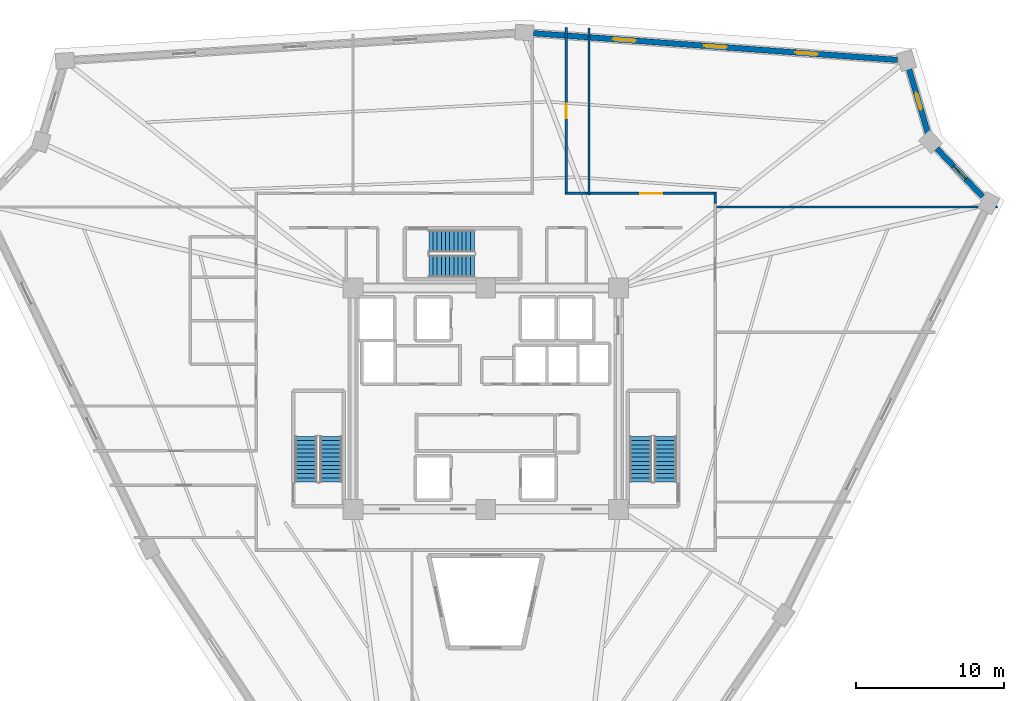
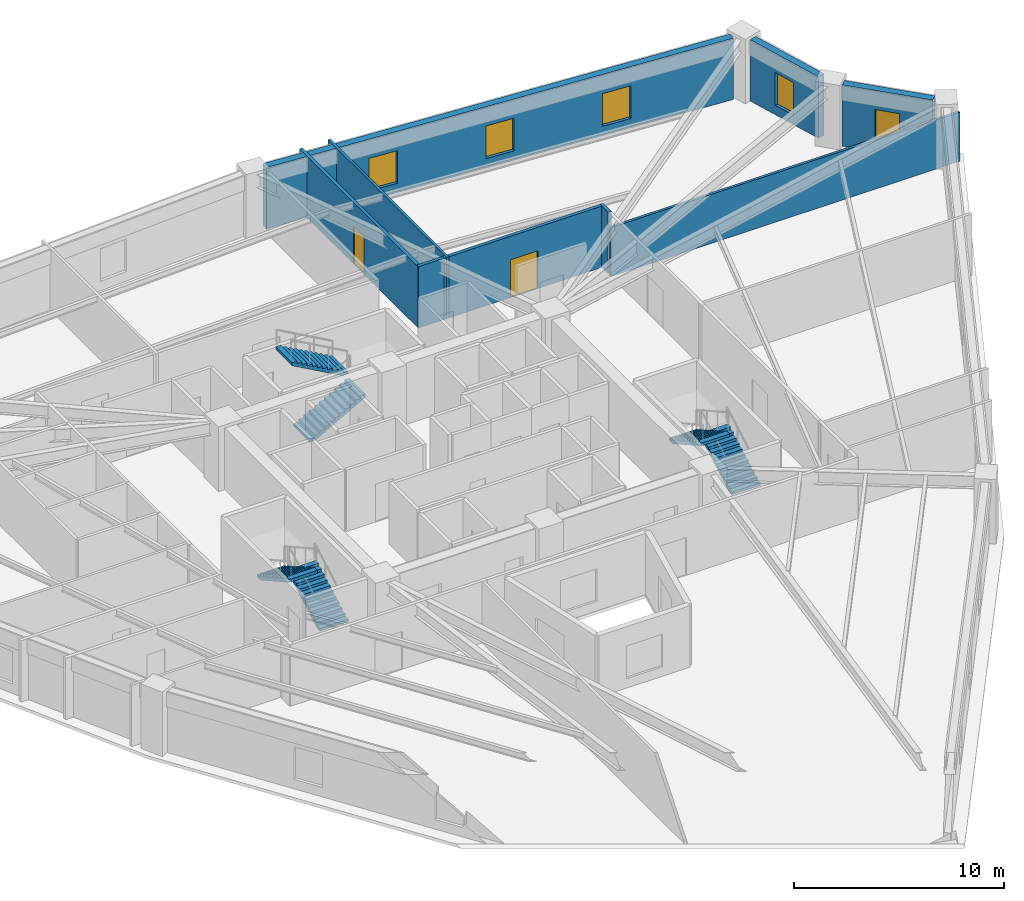
# One storey, part 7 of 8: 9 walls, 6 stair flights, 5 windows, 2 doors, 7 openings, 3 elements without a shape of their own.
"""IFC4 building model written with IfcOpenShell, lengths in metres."""

import ifcopenshell
import ifcopenshell.guid

model = None  # the IFC model being written
_history = None  # IfcOwnerHistory: only IFC2X3 demands one
_inside = {}  # id of a spatial element -> (the spatial element, [elements in it])
_under = {}  # id of a project, library or spatial element -> (it, [spatial elements below it])
_declared = {}  # id of a project -> (the project, [libraries it declares])
_typed = {}  # id of a type object -> (the type object, [elements of that type])
_made_of = {}  # id of a material, layer set ... -> (it, [elements and type objects made of it])


def new_model(schema):
    """Start an empty IFC model of exactly this schema.

    Asked for "IFC4X3", IfcOpenShell would pick the latest addendum, in which some entities
    have other attributes; the version numbers below select the first issue.
    IFC2X3 requires an IfcOwnerHistory on every rooted entity: one is made here for all.
    """
    global model, _history
    if schema == "IFC4X3":
        model = ifcopenshell.file(schema_version=(4, 3, 0, 0))
    else:
        model = ifcopenshell.file(schema=schema)
    _inside.clear()
    _under.clear()
    _declared.clear()
    _typed.clear()
    _made_of.clear()
    _history = None
    if model.schema == "IFC2X3":
        org = make("IfcOrganization", Name="unknown")
        user = make(
            "IfcPersonAndOrganization",
            ThePerson=make("IfcPerson", FamilyName="unknown"),
            TheOrganization=org,
        )
        app = make(
            "IfcApplication",
            ApplicationDeveloper=org,
            Version="unknown",
            ApplicationFullName="unknown",
            ApplicationIdentifier="unknown",
        )
        _history = make(
            "IfcOwnerHistory",
            OwningUser=user,
            OwningApplication=app,
            ChangeAction="ADDED",
            CreationDate=0,
        )
    return model


def make(cls, **values):
    """One entity of the class cls with the attributes given. An attribute that is None is left unset."""
    return model.create_entity(
        cls, **{name: value for name, value in values.items() if value is not None}
    )


def rooted(cls, **values):
    """An entity with a GlobalId (a new one), such as an element, a storey or a relation."""
    return make(cls, GlobalId=ifcopenshell.guid.new(), OwnerHistory=_history, **values)


def si_unit(unit_type, name, prefix=None):
    """IfcSIUnit, for example si_unit("LENGTHUNIT", "METRE", prefix="MILLI")."""
    return make("IfcSIUnit", UnitType=unit_type, Prefix=prefix, Name=name)


def assignment(units):
    """IfcUnitAssignment: the units of a project."""
    return None if units is None else make("IfcUnitAssignment", Units=units)


def point(xyz):
    """IfcCartesianPoint."""
    return None if xyz is None else make("IfcCartesianPoint", Coordinates=xyz)


def direction(xyz):
    """IfcDirection."""
    return None if xyz is None else make("IfcDirection", DirectionRatios=xyz)


def frame(location, z_axis=None, x_axis=None):
    """IfcAxis2Placement3D, a coordinate frame: its origin and axes. An axis left out is left unset."""
    return make(
        "IfcAxis2Placement3D",
        Location=point(location),
        Axis=direction(z_axis),
        RefDirection=direction(x_axis),
    )


def frame_2d(location, x_axis=None):
    """IfcAxis2Placement2D, a coordinate frame in the plane: its origin and x axis."""
    return make(
        "IfcAxis2Placement2D", Location=point(location), RefDirection=direction(x_axis)
    )


def origin():
    """The frame at (0, 0, 0) with its axes left unset."""
    return frame((0.0, 0.0, 0.0))


def place(relative_to, where):
    """IfcLocalPlacement: puts the frame where relative to a parent placement (None: the world)."""
    return make(
        "IfcLocalPlacement", PlacementRelTo=relative_to, RelativePlacement=where
    )


def context(
    kind, dimensions, precision=None, world=None, true_north=None, identifier=None
):
    """IfcGeometricRepresentationContext, for example the 3D "Model" context."""
    return make(
        "IfcGeometricRepresentationContext",
        ContextIdentifier=identifier,
        ContextType=kind,
        CoordinateSpaceDimension=dimensions,
        Precision=precision,
        WorldCoordinateSystem=world,
        TrueNorth=true_north,
    )


def subcontext(parent, identifier, kind, view, scale=None):
    """IfcGeometricRepresentationSubContext, for example "Body" below "Model"."""
    return make(
        "IfcGeometricRepresentationSubContext",
        ContextIdentifier=identifier,
        ContextType=kind,
        ParentContext=parent,
        TargetScale=scale,
        TargetView=view,
    )


def project(units=None, contexts=None):
    """IfcProject with its units and contexts."""
    return rooted(
        "IfcProject",
        Name="project",
        RepresentationContexts=contexts,
        UnitsInContext=assignment(units),
    )


def spatial(cls, under=None, at=None, **own):
    """A site, building, storey or space (cls), placed at a placement, below another one or the project."""
    s = rooted(cls, ObjectPlacement=at, **own)
    if under is not None:
        _under.setdefault(under.id(), (under, []))[1].append(s)
    return s


def polyline(points):
    """IfcPolyline through the points."""
    return make("IfcPolyline", Points=[point(p) for p in points])


def profile(cls, at=None, kind="AREA", **sizes):
    """A parametric profile (cls). Its sizes go by their IFC names, for example OverallWidth=200.0."""
    return make(cls, ProfileType=kind, Position=at, **sizes)


def rectangle(**sizes):
    """IfcRectangleProfileDef."""
    return profile("IfcRectangleProfileDef", **sizes)


def outline(outer, holes=None, kind="AREA"):
    """IfcArbitraryClosedProfileDef: a profile drawn as a closed curve; with holes, ...WithVoids."""
    if holes is None:
        return make("IfcArbitraryClosedProfileDef", ProfileType=kind, OuterCurve=outer)
    return make(
        "IfcArbitraryProfileDefWithVoids",
        ProfileType=kind,
        OuterCurve=outer,
        InnerCurves=holes,
    )


def extrude(swept, where, along, depth):
    """IfcExtrudedAreaSolid: the profile swept, set in the frame where, extruded along a direction by depth."""
    return make(
        "IfcExtrudedAreaSolid",
        SweptArea=swept,
        Position=where,
        ExtrudedDirection=direction(along),
        Depth=depth,
    )


def shape(context_of_items, identifier, shape_type, items):
    """IfcShapeRepresentation: the items that make up one representation, for example the "Body"."""
    return make(
        "IfcShapeRepresentation",
        ContextOfItems=context_of_items,
        RepresentationIdentifier=identifier,
        RepresentationType=shape_type,
        Items=items,
    )


def source(mapping_origin, context_of_items, identifier, shape_type, items):
    """IfcRepresentationMap: a shape defined once, which mapped items show again and again."""
    return make(
        "IfcRepresentationMap",
        MappingOrigin=mapping_origin,
        MappedRepresentation=shape(context_of_items, identifier, shape_type, items),
    )


def transform(
    local_origin,
    x_axis=None,
    y_axis=None,
    z_axis=None,
    scale=None,
    scale2=None,
    scale3=None,
    uniform=True,
):
    """IfcCartesianTransformationOperator3D, or its non-uniform kind. x_axis, y_axis, z_axis: its Axis1, 2, 3."""
    if uniform:
        return make(
            "IfcCartesianTransformationOperator3D",
            Axis1=direction(x_axis),
            Axis2=direction(y_axis),
            LocalOrigin=point(local_origin),
            Scale=scale,
            Axis3=direction(z_axis),
        )
    return make(
        "IfcCartesianTransformationOperator3DnonUniform",
        Axis1=direction(x_axis),
        Axis2=direction(y_axis),
        LocalOrigin=point(local_origin),
        Scale=scale,
        Axis3=direction(z_axis),
        Scale2=scale2,
        Scale3=scale3,
    )


def mapped(mapping_source, mapping_target):
    """IfcMappedItem: shows the shape of a source again, moved by a transform."""
    return make(
        "IfcMappedItem", MappingSource=mapping_source, MappingTarget=mapping_target
    )


def material(Name=None, Category=None):
    """IfcMaterial."""
    return make("IfcMaterial", Name=Name, Category=Category)


def layer(
    of_material, thickness, ventilated=None, Name=None, Category=None, Priority=None
):
    """IfcMaterialLayer: one layer of a wall or slab, of a material (None: an air gap)."""
    return make(
        "IfcMaterialLayer",
        Material=of_material,
        LayerThickness=thickness,
        IsVentilated=ventilated,
        Name=Name,
        Category=Category,
        Priority=Priority,
    )


def layer_set(layers, Name=None):
    """IfcMaterialLayerSet."""
    return make("IfcMaterialLayerSet", MaterialLayers=layers, LayerSetName=Name)


def made_of(thing, what):
    """Note that an element or type object is made of a material, layer set ...; save() writes the relation."""
    if what is not None:
        _made_of.setdefault(what.id(), (what, []))[1].append(thing)
    return thing


def type_object(cls, material=None, **own):
    """A type object (cls), such as IfcWallType, which elements share."""
    return made_of(rooted(cls, **own), material)


def element(
    cls,
    number,
    at=None,
    inside=None,
    cuts=None,
    type_object=None,
    material=None,
    context=None,
    identifier="Body",
    shape_type=None,
    held_by="IfcProductDefinitionShape",
    body=None,
    shapes=None,
    **own,
):
    """One element of the class cls, such as IfcWall. Its Tag is "e" and its number.

    at: its placement. inside: the storey or other place that contains it. cuts: it is an
    opening in that element (IfcRelVoidsElement). A single representation is given by context,
    identifier, shape_type and body (its items); several are given by shapes. held_by: the class
    of the entity that holds the representations. save() writes the other relations.
    """
    e = rooted(cls, Tag="e%d" % number, ObjectPlacement=at, **own)
    if body is not None:
        shapes = [shape(context, identifier, shape_type, body)]
    if shapes is not None:
        e.Representation = make(held_by, Representations=shapes)
    if inside is not None:
        _inside.setdefault(inside.id(), (inside, []))[1].append(e)
    if cuts is not None:
        rooted(
            "IfcRelVoidsElement", RelatingBuildingElement=cuts, RelatedOpeningElement=e
        )
    if type_object is not None:
        _typed.setdefault(type_object.id(), (type_object, []))[1].append(e)
    return made_of(e, material)


def fill(opening, filler):
    """IfcRelFillsElement: the door or window that sits in an opening."""
    return rooted(
        "IfcRelFillsElement",
        RelatingOpeningElement=opening,
        RelatedBuildingElement=filler,
    )


def aggregate(whole, parts):
    """IfcRelAggregates: a whole, such as a stair, and the parts it consists of."""
    return rooted("IfcRelAggregates", RelatingObject=whole, RelatedObjects=parts)


def save(model, path):
    """Write the relations noted so far, then the file.

    IfcRelAggregates (storeys below a building ...), IfcRelContainedInSpatialStructure (elements
    in a storey), IfcRelDefinesByType, IfcRelAssociatesMaterial and IfcRelDeclares: one each for
    every whole, place, type object, material and project.
    """
    for whole, parts in _under.values():
        aggregate(whole, parts)
    for where, things in _inside.values():
        rooted(
            "IfcRelContainedInSpatialStructure",
            RelatedElements=things,
            RelatingStructure=where,
        )
    for kind, things in _typed.values():
        rooted("IfcRelDefinesByType", RelatedObjects=things, RelatingType=kind)
    for what, things in _made_of.values():
        rooted("IfcRelAssociatesMaterial", RelatedObjects=things, RelatingMaterial=what)
    for by, libraries in _declared.values():
        rooted("IfcRelDeclares", RelatingContext=by, RelatedDefinitions=libraries)
    model.write(path)


model = new_model("IFC4")

# Units and contexts
model_context = context("Model", 3, precision=1e-05, world=origin(), true_north=direction((0.0, 1.0)))
body_context = subcontext(model_context, "Body", "Model", "MODEL_VIEW")
ifc_project = project(units=[si_unit("LENGTHUNIT", "METRE"), si_unit("AREAUNIT", "SQUARE_METRE"), si_unit("VOLUMEUNIT", "CUBIC_METRE"), si_unit("PLANEANGLEUNIT", "RADIAN"), si_unit("MASSUNIT", "GRAM", prefix="KILO")], contexts=[model_context])

# Site, building, storey
site_placement = place(None, origin())
site = spatial("IfcSite", under=ifc_project, at=site_placement, CompositionType="ELEMENT")
building_placement = place(site_placement, origin())
building = spatial("IfcBuilding", under=site, at=building_placement, Name="Liaohun Quay Tower", CompositionType="ELEMENT")
storey_placement = place(building_placement, frame((0.0, 0.0, 198.0)))
storey = spatial("IfcBuildingStorey", under=building, at=storey_placement, Name="L51", CompositionType="ELEMENT", Elevation=198.0)

# Wall, opening, window
ifc_material_1 = material(Name="Precast concrete C50 insulated sandwich", Category="concrete")
ifc_layer_1 = layer(ifc_material_1, 0.3798828125, Name="Precast concrete C50 insulated sandwich", Category="concrete")
ifc_layer_set_1 = layer_set([ifc_layer_1], Name="Precast concrete C50 insulated sandwich")
wall_type_1 = type_object("IfcWallType", Name="WAL-EXT-Z34", PredefinedType="SOLIDWALL", material=ifc_layer_set_1)
wall_1_placement = place(storey_placement, frame((93.674072265625, 67.693115234375, 0.0), z_axis=(0.0, 0.0, 1.0), x_axis=(-0.689502290867, 0.724283501737, 0.0)))
wall_1 = element("IfcWall", 1, at=wall_1_placement, inside=storey, type_object=wall_type_1, Name="L51 Brutalist Precast Pier Wall 04", PredefinedType="SOLIDWALL", context=body_context, shape_type="SweptSolid", body=[
    extrude(rectangle(XDim=4.50634765625, YDim=0.3798828125, at=frame_2d((2.253173828125, 0.0))), origin(), (0.0, 0.0, 1.0), 3.570068359375),
])
shared_shape_1 = source(origin(), body_context, "Body", "SweptSolid", [
    extrude(rectangle(XDim=1.199951171875, YDim=1.89990234375, at=frame_2d((0.60009765625, 0.949951171875))), frame((0.0, 0.199951171875, 0.0), z_axis=(0.0, -1.0, 0.0), x_axis=(1.0, 0.0, 0.0)), (0.0, 0.0, 1.0), 0.39990234375),
])
opening_1_placement = place(wall_1_placement, frame((1.653076171875, 0.0, 0.550048828125)))
opening_1 = element("IfcOpeningElement", 2, at=opening_1_placement, cuts=wall_1, Name="Opening W05", PredefinedType="OPENING", context=body_context, shape_type="MappedRepresentation", body=[
    mapped(shared_shape_1, transform((0.0, 0.0, 0.0), x_axis=(1.0, 0.0, 0.0), y_axis=(0.0, 1.0, 0.0), z_axis=(0.0, 0.0, 1.0), scale=1.0)),
])
ifc_material_2 = material(Name="Triple Low-E corner notch glazing", Category="glass")
window_type_1 = type_object("IfcWindowType", Name="WIN-NOTCH", PartitioningType="SINGLE_PANEL", PredefinedType="WINDOW", material=ifc_material_2)
shared_shape_2 = source(origin(), body_context, "Body", "SweptSolid", [
    extrude(rectangle(XDim=1.199951171875, YDim=1.89990234375, at=frame_2d((0.60009765625, 0.949951171875))), frame((0.0, 0.030029296875, 0.0), z_axis=(0.0, -1.0, 0.0), x_axis=(1.0, 0.0, 0.0)), (0.0, 0.0, 1.0), 0.06005859375),
])
window_1_placement = place(opening_1_placement, origin())
window_1 = element("IfcWindow", 3, at=window_1_placement, inside=storey, type_object=window_type_1, Name="L51 Corner Notch Window W05-04", OverallHeight=1.89990234375, OverallWidth=1.199951171875, PartitioningType="SINGLE_PANEL", PredefinedType="WINDOW", context=body_context, shape_type="MappedRepresentation", body=[
    mapped(shared_shape_2, transform((0.0, 0.0, 0.0), x_axis=(1.0, 0.0, 0.0), y_axis=(0.0, 1.0, 0.0), z_axis=(0.0, 0.0, 1.0), scale=1.0)),
])
fill(opening_1, window_1)

wall_2_placement = place(storey_placement, frame((89.968994140625, 71.992919921875, 0.0), z_axis=(0.0, 0.0, 1.0), x_axis=(-0.28264064014, 0.959225869408, 0.0)))
wall_2 = element("IfcWall", 4, at=wall_2_placement, inside=storey, type_object=wall_type_1, Name="L51 Brutalist Precast Pier Wall 05", PredefinedType="SOLIDWALL", context=body_context, shape_type="SweptSolid", body=[
    extrude(rectangle(XDim=4.51416015625, YDim=0.3798828125, at=frame_2d((2.257080078125, 0.0))), origin(), (0.0, 0.0, 1.0), 3.570068359375),
])
opening_2_placement = place(wall_2_placement, frame((1.656982421875, 0.0, 0.550048828125)))
opening_2 = element("IfcOpeningElement", 5, at=opening_2_placement, cuts=wall_2, Name="Opening W05", PredefinedType="OPENING", context=body_context, shape_type="MappedRepresentation", body=[
    mapped(shared_shape_1, transform((0.0, 0.0, 0.0), x_axis=(1.0, 0.0, 0.0), y_axis=(0.0, 1.0, 0.0), z_axis=(0.0, 0.0, 1.0), scale=1.0)),
])
window_2_placement = place(opening_2_placement, origin())
window_2 = element("IfcWindow", 6, at=window_2_placement, inside=storey, type_object=window_type_1, Name="L51 Corner Notch Window W05-05", OverallHeight=1.89990234375, OverallWidth=1.199951171875, PartitioningType="SINGLE_PANEL", PredefinedType="WINDOW", context=body_context, shape_type="MappedRepresentation", body=[
    mapped(shared_shape_2, transform((0.0, 0.0, 0.0), x_axis=(1.0, 0.0, 0.0), y_axis=(0.0, 1.0, 0.0), z_axis=(0.0, 0.0, 1.0), scale=1.0)),
])
fill(opening_2, window_2)

# Wall, openings, windows
wall_3_placement = place(storey_placement, frame((87.906005859375, 76.9580078125, 0.0), z_axis=(0.0, 0.0, 1.0), x_axis=(-0.997322728454, 0.073125749971, 0.0)))
wall_3 = element("IfcWall", 7, at=wall_3_placement, inside=storey, type_object=wall_type_1, Name="L51 Brutalist Precast Pier Wall 06", PredefinedType="SOLIDWALL", context=body_context, shape_type="SweptSolid", body=[
    extrude(rectangle(XDim=24.7392578125, YDim=0.3798828125, at=frame_2d((12.36962890625, 0.0))), origin(), (0.0, 0.0, 1.0), 3.570068359375),
])
shared_shape_3 = source(origin(), body_context, "Body", "SweptSolid", [
    extrude(rectangle(XDim=1.5, YDim=1.89990234375, at=frame_2d((0.75, 0.949951171875))), frame((0.0, 0.199951171875, 0.0), z_axis=(0.0, -1.0, 0.0), x_axis=(1.0, 0.0, 0.0)), (0.0, 0.0, 1.0), 0.39990234375),
])
opening_3_placement = place(wall_3_placement, frame((5.43505859375, 0.0, 0.550048828125)))
opening_3 = element("IfcOpeningElement", 8, at=opening_3_placement, cuts=wall_3, Name="Opening W03", PredefinedType="OPENING", context=body_context, shape_type="MappedRepresentation", body=[
    mapped(shared_shape_3, transform((0.0, 0.0, 0.0), x_axis=(1.0, 0.0, 0.0), y_axis=(0.0, 1.0, 0.0), z_axis=(0.0, 0.0, 1.0), scale=1.0)),
])
opening_4_placement = place(wall_3_placement, frame((11.6201171875, 0.0, 0.550048828125)))
opening_4 = element("IfcOpeningElement", 9, at=opening_4_placement, cuts=wall_3, Name="Opening W03", PredefinedType="OPENING", context=body_context, shape_type="MappedRepresentation", body=[
    mapped(shared_shape_3, transform((0.0, 0.0, 0.0), x_axis=(1.0, 0.0, 0.0), y_axis=(0.0, 1.0, 0.0), z_axis=(0.0, 0.0, 1.0), scale=1.0)),
])
opening_5_placement = place(wall_3_placement, frame((17.803955078125, 0.0, 0.550048828125)))
opening_5 = element("IfcOpeningElement", 10, at=opening_5_placement, cuts=wall_3, Name="Opening W03", PredefinedType="OPENING", context=body_context, shape_type="MappedRepresentation", body=[
    mapped(shared_shape_3, transform((0.0, 0.0, 0.0), x_axis=(1.0, 0.0, 0.0), y_axis=(0.0, 1.0, 0.0), z_axis=(0.0, 0.0, 1.0), scale=1.0)),
])
ifc_material_3 = material(Name="Triple Low-E argon glazing in thermally broken aluminium", Category="aluminium")
window_type_2 = type_object("IfcWindowType", Name="WIN-PUN-Z3", PartitioningType="DOUBLE_PANEL_VERTICAL", PredefinedType="WINDOW", material=ifc_material_3)
shared_shape_4 = source(origin(), body_context, "Body", "SweptSolid", [
    extrude(rectangle(XDim=1.5, YDim=1.89990234375, at=frame_2d((0.75, 0.949951171875))), frame((0.0, 0.030029296875, 0.0), z_axis=(0.0, -1.0, 0.0), x_axis=(1.0, 0.0, 0.0)), (0.0, 0.0, 1.0), 0.06005859375),
])
window_3_placement = place(opening_3_placement, origin())
window_3 = element("IfcWindow", 11, at=window_3_placement, inside=storey, type_object=window_type_2, Name="L51 Recessed Cold-Climate Punched Window 06-1", OverallHeight=1.89990234375, OverallWidth=1.5, PartitioningType="DOUBLE_PANEL_VERTICAL", PredefinedType="WINDOW", context=body_context, shape_type="MappedRepresentation", body=[
    mapped(shared_shape_4, transform((0.0, 0.0, 0.0), x_axis=(1.0, 0.0, 0.0), y_axis=(0.0, 1.0, 0.0), z_axis=(0.0, 0.0, 1.0), scale=1.0)),
])
fill(opening_3, window_3)
window_4_placement = place(opening_4_placement, origin())
window_4 = element("IfcWindow", 12, at=window_4_placement, inside=storey, type_object=window_type_2, Name="L51 Recessed Cold-Climate Punched Window 06-2", OverallHeight=1.89990234375, OverallWidth=1.5, PartitioningType="DOUBLE_PANEL_VERTICAL", PredefinedType="WINDOW", context=body_context, shape_type="MappedRepresentation", body=[
    mapped(shared_shape_4, transform((0.0, 0.0, 0.0), x_axis=(1.0, 0.0, 0.0), y_axis=(0.0, 1.0, 0.0), z_axis=(0.0, 0.0, 1.0), scale=1.0)),
])
fill(opening_4, window_4)
window_5_placement = place(opening_5_placement, origin())
window_5 = element("IfcWindow", 13, at=window_5_placement, inside=storey, type_object=window_type_2, Name="L51 Recessed Cold-Climate Punched Window 06-3", OverallHeight=1.89990234375, OverallWidth=1.5, PartitioningType="DOUBLE_PANEL_VERTICAL", PredefinedType="WINDOW", context=body_context, shape_type="MappedRepresentation", body=[
    mapped(shared_shape_4, transform((0.0, 0.0, 0.0), x_axis=(1.0, 0.0, 0.0), y_axis=(0.0, 1.0, 0.0), z_axis=(0.0, 0.0, 1.0), scale=1.0)),
])
fill(opening_5, window_5)

# Wall, opening, door
ifc_material_4 = material(Name="Autoclaved aerated concrete blockwork", Category="masonry")
ifc_layer_2 = layer(ifc_material_4, 0.179931640625, Name="Autoclaved aerated concrete blockwork", Category="masonry")
ifc_layer_set_2 = layer_set([ifc_layer_2], Name="Autoclaved aerated concrete blockwork")
wall_type_2 = type_object("IfcWallType", Name="WAL-PRT-COR", PredefinedType="PARTITIONING", material=ifc_layer_set_2)
wall_4_placement = place(storey_placement, frame((66.784912109375, 67.909912109375, 0.0), z_axis=(0.0, 0.0, 1.0), x_axis=(1.0, 0.0, 0.0)))
wall_4 = element("IfcWall", 14, at=wall_4_placement, inside=storey, type_object=wall_type_2, Name="L51 Interior Partition Wall 013", PredefinedType="PARTITIONING", context=body_context, shape_type="SweptSolid", body=[
    extrude(rectangle(XDim=8.844970703125, YDim=0.179931640625, at=frame_2d((4.42236328125, 0.0))), origin(), (0.0, 0.0, 1.0), 3.570068359375),
])
shared_shape_5 = source(origin(), body_context, "Body", "SweptSolid", [
    extrude(rectangle(XDim=1.5, YDim=2.199951171875, at=frame_2d((0.75, 1.10009765625))), frame((0.0, 0.099853515625, 0.0), z_axis=(0.0, -1.0, 0.0), x_axis=(1.0, 0.0, 0.0)), (0.0, 0.0, 1.0), 0.199951171875),
])
opening_6_placement = place(wall_4_placement, frame((3.672119140625, 0.0, 0.0)))
opening_6 = element("IfcOpeningElement", 15, at=opening_6_placement, cuts=wall_4, Name="Opening OD2", PredefinedType="OPENING", context=body_context, shape_type="MappedRepresentation", body=[
    mapped(shared_shape_5, transform((0.0, 0.0, 0.0), x_axis=(1.0, 0.0, 0.0), y_axis=(0.0, 1.0, 0.0), z_axis=(0.0, 0.0, 1.0), scale=1.0)),
])
ifc_material_5 = material(Name="Acoustic oak veneer double door")
door_type_1 = type_object("IfcDoorType", Name="DOR-OFF-1500", OperationType="DOUBLE_DOOR_SINGLE_SWING", PredefinedType="DOOR", material=ifc_material_5)
shared_shape_6 = source(origin(), body_context, "Body", "SweptSolid", [
    extrude(rectangle(XDim=1.5, YDim=2.199951171875, at=frame_2d((0.75, 1.10009765625))), frame((0.0, 0.02490234375, 0.0), z_axis=(0.0, -1.0, 0.0), x_axis=(1.0, 0.0, 0.0)), (0.0, 0.0, 1.0), 0.050048828125),
])
door_1_placement = place(opening_6_placement, origin())
door_1 = element("IfcDoor", 16, at=door_1_placement, inside=storey, type_object=door_type_1, Name="L51 Engineering Model Workshop 02 Door", OperationType="DOUBLE_DOOR_SINGLE_SWING", OverallHeight=2.199951171875, OverallWidth=1.5, PredefinedType="DOOR", context=body_context, shape_type="MappedRepresentation", body=[
    mapped(shared_shape_6, transform((0.0, 0.0, 0.0), x_axis=(1.0, 0.0, 0.0), y_axis=(0.0, 1.0, 0.0), z_axis=(0.0, 0.0, 1.0), scale=1.0)),
])
fill(opening_6, door_1)

wall_5_placement = place(storey_placement, frame((65.4599609375, 79.14501953125, 0.0), z_axis=(0.0, 0.0, 1.0), x_axis=(0.0, -1.0, 0.0)))
wall_5 = element("IfcWall", 17, at=wall_5_placement, inside=storey, type_object=wall_type_2, Name="L51 Interior Partition Wall 014", PredefinedType="PARTITIONING", context=body_context, shape_type="SweptSolid", body=[
    extrude(rectangle(XDim=11.304931640625, YDim=0.179931640625, at=frame_2d((5.65234375, 0.0))), origin(), (0.0, 0.0, 1.0), 3.570068359375),
])
shared_shape_7 = source(origin(), body_context, "Body", "SweptSolid", [
    extrude(rectangle(XDim=1.0, YDim=2.199951171875, at=frame_2d((0.5, 1.10009765625))), frame((0.0, 0.099853515625, 0.0), z_axis=(0.0, -1.0, 0.0), x_axis=(1.0, 0.0, 0.0)), (0.0, 0.0, 1.0), 0.199951171875),
])
opening_7_placement = place(wall_5_placement, frame((5.152099609375, 0.0, 0.0)))
opening_7 = element("IfcOpeningElement", 18, at=opening_7_placement, cuts=wall_5, Name="Opening OD1", PredefinedType="OPENING", context=body_context, shape_type="MappedRepresentation", body=[
    mapped(shared_shape_7, transform((0.0, 0.0, 0.0), x_axis=(1.0, 0.0, 0.0), y_axis=(0.0, 1.0, 0.0), z_axis=(0.0, 0.0, 1.0), scale=1.0)),
])
ifc_material_6 = material(Name="Solid-core oak veneer timber leaf in steel frame", Category="steel")
door_type_2 = type_object("IfcDoorType", Name="DOR-OFF-1000", OperationType="NOTDEFINED", PredefinedType="DOOR", material=ifc_material_6)
shared_shape_8 = source(origin(), body_context, "Body", "SweptSolid", [
    extrude(rectangle(XDim=1.0, YDim=2.199951171875, at=frame_2d((0.5, 1.10009765625))), frame((0.0, 0.02490234375, 0.0), z_axis=(0.0, -1.0, 0.0), x_axis=(1.0, 0.0, 0.0)), (0.0, 0.0, 1.0), 0.050048828125),
])
door_2_placement = place(opening_7_placement, origin())
door_2 = element("IfcDoor", 19, at=door_2_placement, inside=storey, type_object=door_type_2, Name="L51 Staff Daycare Nursery 03 Door", OperationType="SINGLE_SWING_RIGHT", OverallHeight=2.199951171875, OverallWidth=1.0, PredefinedType="DOOR", context=body_context, shape_type="MappedRepresentation", body=[
    mapped(shared_shape_8, transform((0.0, 0.0, 0.0), x_axis=(1.0, 0.0, 0.0), y_axis=(0.0, 1.0, 0.0), z_axis=(0.0, 0.0, 1.0), scale=1.0)),
])
fill(opening_7, door_2)

# Walls
wall_6_placement = place(storey_placement, frame((75.56005859375, 67.97998046875, 0.0), z_axis=(0.0, 0.0, 1.0), x_axis=(0.0, -1.0, 0.0)))
element("IfcWall", 20, at=wall_6_placement, inside=storey, type_object=wall_type_2, Name="L51 Interior Partition Wall 038", PredefinedType="PARTITIONING", context=body_context, shape_type="SweptSolid", body=[
    extrude(rectangle(XDim=0.764892578125, YDim=0.179931640625, at=frame_2d((0.38232421875, 0.0))), origin(), (0.0, 0.0, 1.0), 3.570068359375),
])
wall_7_placement = place(storey_placement, frame((65.389892578125, 67.909912109375, 0.0), z_axis=(0.0, 0.0, 1.0), x_axis=(1.0, 0.0, 0.0)))
element("IfcWall", 21, at=wall_7_placement, inside=storey, type_object=wall_type_2, Name="L51 Interior Partition Wall 039", PredefinedType="PARTITIONING", context=body_context, shape_type="SweptSolid", body=[
    extrude(rectangle(XDim=1.39501953125, YDim=0.179931640625, at=frame_2d((0.697509765625, 0.0))), origin(), (0.0, 0.0, 1.0), 3.570068359375),
])
ifc_material_7 = material(Name="Gypsum board on twin steel studs", Category="steel")
ifc_layer_3 = layer(ifc_material_7, 0.139892578125, Name="Gypsum board on twin steel studs", Category="steel")
ifc_layer_set_3 = layer_set([ifc_layer_3], Name="Gypsum board on twin steel studs")
wall_type_3 = type_object("IfcWallType", Name="WAL-PRT-OFF", PredefinedType="PARTITIONING", material=ifc_layer_set_3)
wall_8_placement = place(storey_placement, frame((75.4599609375, 67.0, 0.0), z_axis=(0.0, 0.0, 1.0), x_axis=(1.0, 0.0, 0.0)))
element("IfcWall", 22, at=wall_8_placement, inside=storey, type_object=wall_type_3, Name="L51 Interior Partition Wall 053", PredefinedType="PARTITIONING", context=body_context, shape_type="SweptSolid", body=[
    extrude(rectangle(XDim=19.218994140625, YDim=0.139892578125, at=frame_2d((9.609375, 0.0))), origin(), (0.0, 0.0, 1.0), 2.85498046875),
])
wall_9_placement = place(storey_placement, frame((67.0, 67.81005859375, 0.0), z_axis=(0.0, 0.0, 1.0), x_axis=(0.0, 1.0, 0.0)))
element("IfcWall", 23, at=wall_9_placement, inside=storey, type_object=wall_type_3, Name="L51 Interior Partition Wall 055", PredefinedType="PARTITIONING", context=body_context, shape_type="SweptSolid", body=[
    extrude(rectangle(XDim=11.31298828125, YDim=0.139892578125, at=frame_2d((5.656494140625, 0.0))), origin(), (0.0, 0.0, 1.0), 3.570068359375),
])

# Stair, stair flights
ifc_material_8 = material(Name="Concrete C45", Category="concrete")
stair_type = type_object("IfcStairType", Name="STR-CORE-OFF", PredefinedType="HALF_TURN_STAIR", material=ifc_material_8)
stair_1_placement = place(storey_placement, origin())
stair_1 = element("IfcStair", 24, at=stair_1_placement, inside=storey, type_object=stair_type, Name="L51 Smokeproof Core Exit Stair ST-1", PredefinedType="HALF_TURN_STAIR")
stair_flight_type = type_object("IfcStairFlightType", Name="FLT-CORE-155", PredefinedType="STRAIGHT", material=ifc_material_8)
stair_flight_1_placement = place(storey_placement, frame((49.5048828125, 48.35009765625, 0.0), z_axis=(0.0, 0.0, 1.0), x_axis=(0.0, 1.0, 0.0)))
stair_flight_1 = element("IfcStairFlight", 25, at=stair_flight_1_placement, type_object=stair_flight_type, Name="ST-1 flight 1", NumberOfRisers=12, NumberOfTreads=11, PredefinedType="STRAIGHT", RiserHeight=0.15625, TreadLength=0.28, context=body_context, shape_type="SweptSolid", body=[
    extrude(outline(polyline([(0.0, 0.0), (0.0, 0.15625), (0.280029296875, 0.15625), (0.280029296875, 0.3125), (0.56005859375, 0.3125), (0.56005859375, 0.46875), (0.840087890625, 0.46875), (0.840087890625, 0.625), (1.1201171875, 0.625), (1.1201171875, 0.78125), (1.39990234375, 0.78125), (1.39990234375, 0.9375), (1.679931640625, 0.9375), (1.679931640625, 1.09375), (1.9599609375, 1.09375), (1.9599609375, 1.25), (2.239990234375, 1.25), (2.239990234375, 1.40625), (2.52001953125, 1.40625), (2.52001953125, 1.5625), (2.800048828125, 1.5625), (2.800048828125, 1.71875), (3.080078125, 1.71875), (3.080078125, 1.875), (3.080078125, 1.547119140625), (0.3076171875, 0.0), (0.0, 0.0)])), frame((0.0, 0.77490234375, 0.0), z_axis=(0.0, -1.0, 0.0), x_axis=(1.0, 0.0, 0.0)), (0.0, 0.0, 1.0), 1.550048828125),
])
stair_flight_2_placement = place(storey_placement, frame((47.81494140625, 51.429931640625, 1.875), z_axis=(0.0, 0.0, 1.0), x_axis=(0.0, -1.0, 0.0)))
stair_flight_2 = element("IfcStairFlight", 26, at=stair_flight_2_placement, type_object=stair_flight_type, Name="ST-1 flight 2", NumberOfRisers=12, NumberOfTreads=11, PredefinedType="STRAIGHT", RiserHeight=0.15625, TreadLength=0.28, context=body_context, shape_type="SweptSolid", body=[
    extrude(outline(polyline([(0.0, 0.0), (0.0, 0.15625), (0.280029296875, 0.15625), (0.280029296875, 0.3125), (0.56005859375, 0.3125), (0.56005859375, 0.46875), (0.840087890625, 0.46875), (0.840087890625, 0.625), (1.1201171875, 0.625), (1.1201171875, 0.78125), (1.39990234375, 0.78125), (1.39990234375, 0.9375), (1.679931640625, 0.9375), (1.679931640625, 1.09375), (1.9599609375, 1.09375), (1.9599609375, 1.25), (2.239990234375, 1.25), (2.239990234375, 1.40625), (2.52001953125, 1.40625), (2.52001953125, 1.5625), (2.800048828125, 1.5625), (2.800048828125, 1.71875), (3.080078125, 1.71875), (3.080078125, 1.875), (3.080078125, 1.547119140625), (0.3076171875, 0.0), (0.0, 0.0)])), frame((0.0, 0.77490234375, 0.0), z_axis=(0.0, -1.0, 0.0), x_axis=(1.0, 0.0, 0.0)), (0.0, 0.0, 1.0), 1.550048828125),
])
aggregate(stair_1, [stair_flight_1, stair_flight_2])

stair_2_placement = place(storey_placement, origin())
stair_2 = element("IfcStair", 27, at=stair_2_placement, inside=storey, type_object=stair_type, Name="L51 Smokeproof Core Exit Stair ST-2", PredefinedType="HALF_TURN_STAIR")
stair_flight_3_placement = place(storey_placement, frame((72.18505859375, 48.35009765625, 0.0), z_axis=(0.0, 0.0, 1.0), x_axis=(0.0, 1.0, 0.0)))
stair_flight_3 = element("IfcStairFlight", 28, at=stair_flight_3_placement, type_object=stair_flight_type, Name="ST-2 flight 1", NumberOfRisers=12, NumberOfTreads=11, PredefinedType="STRAIGHT", RiserHeight=0.15625, TreadLength=0.28, context=body_context, shape_type="SweptSolid", body=[
    extrude(outline(polyline([(0.0, 0.0), (0.0, 0.15625), (0.280029296875, 0.15625), (0.280029296875, 0.3125), (0.56005859375, 0.3125), (0.56005859375, 0.46875), (0.840087890625, 0.46875), (0.840087890625, 0.625), (1.1201171875, 0.625), (1.1201171875, 0.78125), (1.39990234375, 0.78125), (1.39990234375, 0.9375), (1.679931640625, 0.9375), (1.679931640625, 1.09375), (1.9599609375, 1.09375), (1.9599609375, 1.25), (2.239990234375, 1.25), (2.239990234375, 1.40625), (2.52001953125, 1.40625), (2.52001953125, 1.5625), (2.800048828125, 1.5625), (2.800048828125, 1.71875), (3.080078125, 1.71875), (3.080078125, 1.875), (3.080078125, 1.547119140625), (0.3076171875, 0.0), (0.0, 0.0)])), frame((0.0, 0.77490234375, 0.0), z_axis=(0.0, -1.0, 0.0), x_axis=(1.0, 0.0, 0.0)), (0.0, 0.0, 1.0), 1.550048828125),
])
stair_flight_4_placement = place(storey_placement, frame((70.4951171875, 51.429931640625, 1.875), z_axis=(0.0, 0.0, 1.0), x_axis=(0.0, -1.0, 0.0)))
stair_flight_4 = element("IfcStairFlight", 29, at=stair_flight_4_placement, type_object=stair_flight_type, Name="ST-2 flight 2", NumberOfRisers=12, NumberOfTreads=11, PredefinedType="STRAIGHT", RiserHeight=0.15625, TreadLength=0.28, context=body_context, shape_type="SweptSolid", body=[
    extrude(outline(polyline([(0.0, 0.0), (0.0, 0.15625), (0.280029296875, 0.15625), (0.280029296875, 0.3125), (0.56005859375, 0.3125), (0.56005859375, 0.46875), (0.840087890625, 0.46875), (0.840087890625, 0.625), (1.1201171875, 0.625), (1.1201171875, 0.78125), (1.39990234375, 0.78125), (1.39990234375, 0.9375), (1.679931640625, 0.9375), (1.679931640625, 1.09375), (1.9599609375, 1.09375), (1.9599609375, 1.25), (2.239990234375, 1.25), (2.239990234375, 1.40625), (2.52001953125, 1.40625), (2.52001953125, 1.5625), (2.800048828125, 1.5625), (2.800048828125, 1.71875), (3.080078125, 1.71875), (3.080078125, 1.875), (3.080078125, 1.547119140625), (0.3076171875, 0.0), (0.0, 0.0)])), frame((0.0, 0.77490234375, 0.0), z_axis=(0.0, -1.0, 0.0), x_axis=(1.0, 0.0, 0.0)), (0.0, 0.0, 1.0), 1.550048828125),
])
aggregate(stair_2, [stair_flight_3, stair_flight_4])

stair_3_placement = place(storey_placement, origin())
stair_3 = element("IfcStair", 30, at=stair_3_placement, inside=storey, type_object=stair_type, Name="L51 Smokeproof Core Exit Stair ST-3", PredefinedType="HALF_TURN_STAIR")
stair_flight_5_placement = place(storey_placement, frame((56.14990234375, 62.97509765625, 0.0), z_axis=(0.0, 0.0, 1.0), x_axis=(1.0, 0.0, 0.0)))
stair_flight_5 = element("IfcStairFlight", 31, at=stair_flight_5_placement, type_object=stair_flight_type, Name="ST-3 flight 1", NumberOfRisers=12, NumberOfTreads=11, PredefinedType="STRAIGHT", RiserHeight=0.15625, TreadLength=0.28, context=body_context, shape_type="SweptSolid", body=[
    extrude(outline(polyline([(0.0, 0.0), (0.0, 0.15625), (0.280029296875, 0.15625), (0.280029296875, 0.3125), (0.56005859375, 0.3125), (0.56005859375, 0.46875), (0.840087890625, 0.46875), (0.840087890625, 0.625), (1.1201171875, 0.625), (1.1201171875, 0.78125), (1.39990234375, 0.78125), (1.39990234375, 0.9375), (1.679931640625, 0.9375), (1.679931640625, 1.09375), (1.9599609375, 1.09375), (1.9599609375, 1.25), (2.239990234375, 1.25), (2.239990234375, 1.40625), (2.52001953125, 1.40625), (2.52001953125, 1.5625), (2.800048828125, 1.5625), (2.800048828125, 1.71875), (3.080078125, 1.71875), (3.080078125, 1.875), (3.080078125, 1.547119140625), (0.3076171875, 0.0), (0.0, 0.0)])), frame((0.0, 0.77490234375, 0.0), z_axis=(0.0, -1.0, 0.0), x_axis=(1.0, 0.0, 0.0)), (0.0, 0.0, 1.0), 1.550048828125),
])
stair_flight_6_placement = place(storey_placement, frame((59.22998046875, 64.6650390625, 1.875), z_axis=(0.0, 0.0, 1.0), x_axis=(-1.0, 0.0, 0.0)))
stair_flight_6 = element("IfcStairFlight", 32, at=stair_flight_6_placement, type_object=stair_flight_type, Name="ST-3 flight 2", NumberOfRisers=12, NumberOfTreads=11, PredefinedType="STRAIGHT", RiserHeight=0.15625, TreadLength=0.28, context=body_context, shape_type="SweptSolid", body=[
    extrude(outline(polyline([(0.0, 0.0), (0.0, 0.15625), (0.280029296875, 0.15625), (0.280029296875, 0.3125), (0.56005859375, 0.3125), (0.56005859375, 0.46875), (0.840087890625, 0.46875), (0.840087890625, 0.625), (1.1201171875, 0.625), (1.1201171875, 0.78125), (1.39990234375, 0.78125), (1.39990234375, 0.9375), (1.679931640625, 0.9375), (1.679931640625, 1.09375), (1.9599609375, 1.09375), (1.9599609375, 1.25), (2.239990234375, 1.25), (2.239990234375, 1.40625), (2.52001953125, 1.40625), (2.52001953125, 1.5625), (2.800048828125, 1.5625), (2.800048828125, 1.71875), (3.080078125, 1.71875), (3.080078125, 1.875), (3.080078125, 1.547119140625), (0.3076171875, 0.0), (0.0, 0.0)])), frame((0.0, 0.77490234375, 0.0), z_axis=(0.0, -1.0, 0.0), x_axis=(1.0, 0.0, 0.0)), (0.0, 0.0, 1.0), 1.550048828125),
])
aggregate(stair_3, [stair_flight_5, stair_flight_6])

save(model, "model.ifc")
